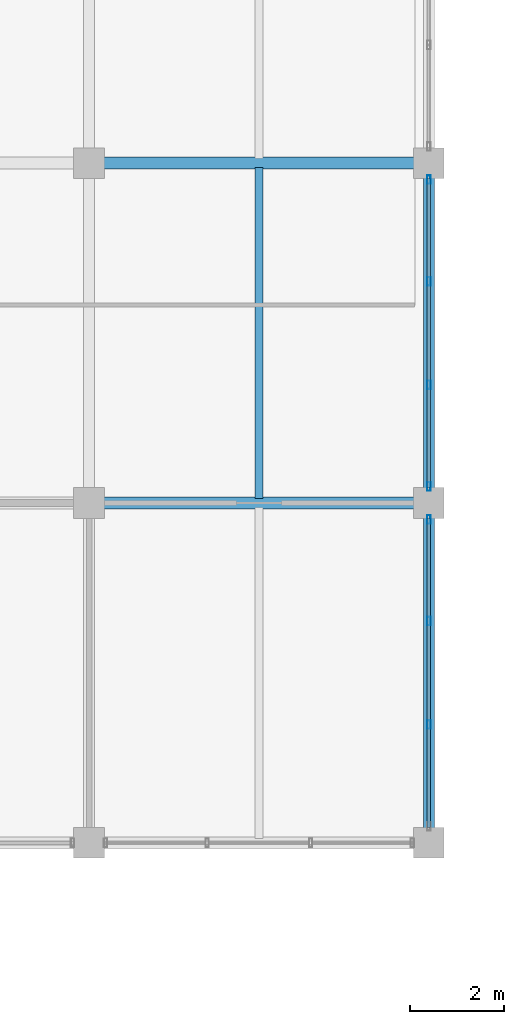
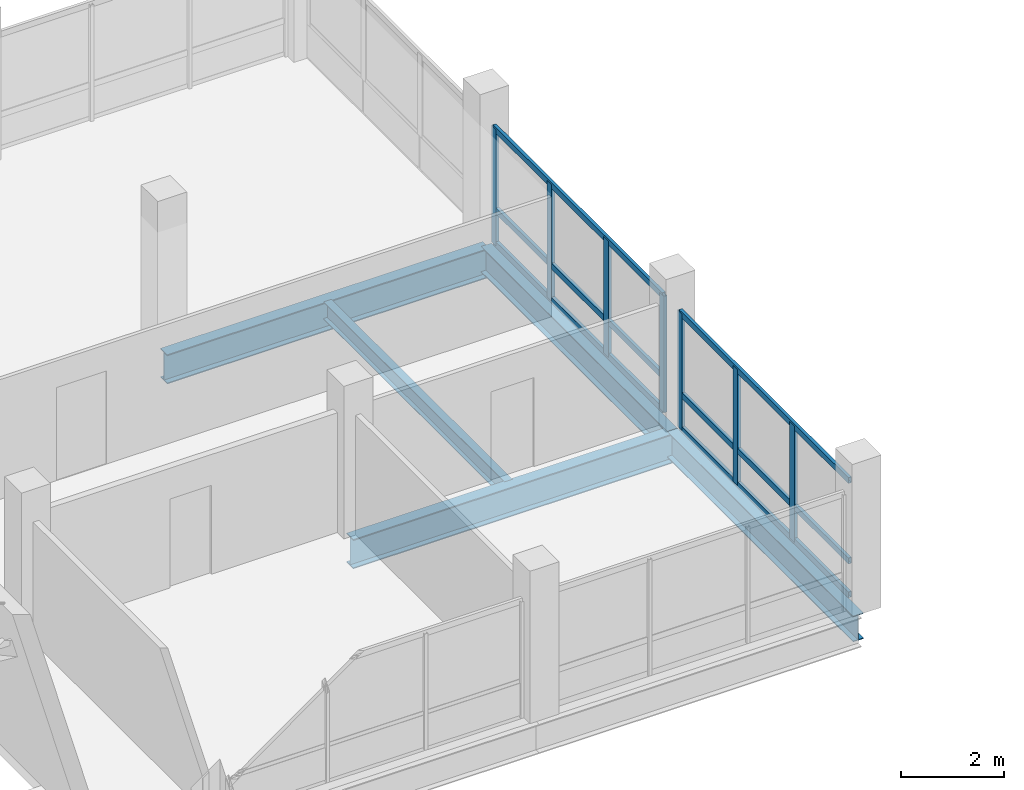
# One storey, part 45 of 96: 13 members, 5 beams, 2 elements without a shape of their own.
"""IFC4 building model written with IfcOpenShell, lengths in metres."""

import ifcopenshell
import ifcopenshell.guid

model = None  # the IFC model being written
_history = None  # IfcOwnerHistory: only IFC2X3 demands one
_inside = {}  # id of a spatial element -> (the spatial element, [elements in it])
_under = {}  # id of a project, library or spatial element -> (it, [spatial elements below it])
_declared = {}  # id of a project -> (the project, [libraries it declares])
_typed = {}  # id of a type object -> (the type object, [elements of that type])
_made_of = {}  # id of a material, layer set ... -> (it, [elements and type objects made of it])


def new_model(schema):
    """Start an empty IFC model of exactly this schema.

    Asked for "IFC4X3", IfcOpenShell would pick the latest addendum, in which some entities
    have other attributes; the version numbers below select the first issue.
    IFC2X3 requires an IfcOwnerHistory on every rooted entity: one is made here for all.
    """
    global model, _history
    if schema == "IFC4X3":
        model = ifcopenshell.file(schema_version=(4, 3, 0, 0))
    else:
        model = ifcopenshell.file(schema=schema)
    _inside.clear()
    _under.clear()
    _declared.clear()
    _typed.clear()
    _made_of.clear()
    _history = None
    if model.schema == "IFC2X3":
        org = make("IfcOrganization", Name="unknown")
        user = make(
            "IfcPersonAndOrganization",
            ThePerson=make("IfcPerson", FamilyName="unknown"),
            TheOrganization=org,
        )
        app = make(
            "IfcApplication",
            ApplicationDeveloper=org,
            Version="unknown",
            ApplicationFullName="unknown",
            ApplicationIdentifier="unknown",
        )
        _history = make(
            "IfcOwnerHistory",
            OwningUser=user,
            OwningApplication=app,
            ChangeAction="ADDED",
            CreationDate=0,
        )
    return model


def make(cls, **values):
    """One entity of the class cls with the attributes given. An attribute that is None is left unset."""
    return model.create_entity(
        cls, **{name: value for name, value in values.items() if value is not None}
    )


def rooted(cls, **values):
    """An entity with a GlobalId (a new one), such as an element, a storey or a relation."""
    return make(cls, GlobalId=ifcopenshell.guid.new(), OwnerHistory=_history, **values)


def si_unit(unit_type, name, prefix=None):
    """IfcSIUnit, for example si_unit("LENGTHUNIT", "METRE", prefix="MILLI")."""
    return make("IfcSIUnit", UnitType=unit_type, Prefix=prefix, Name=name)


def assignment(units):
    """IfcUnitAssignment: the units of a project."""
    return None if units is None else make("IfcUnitAssignment", Units=units)


def point(xyz):
    """IfcCartesianPoint."""
    return None if xyz is None else make("IfcCartesianPoint", Coordinates=xyz)


def direction(xyz):
    """IfcDirection."""
    return None if xyz is None else make("IfcDirection", DirectionRatios=xyz)


def frame(location, z_axis=None, x_axis=None):
    """IfcAxis2Placement3D, a coordinate frame: its origin and axes. An axis left out is left unset."""
    return make(
        "IfcAxis2Placement3D",
        Location=point(location),
        Axis=direction(z_axis),
        RefDirection=direction(x_axis),
    )


def frame_2d(location, x_axis=None):
    """IfcAxis2Placement2D, a coordinate frame in the plane: its origin and x axis."""
    return make(
        "IfcAxis2Placement2D", Location=point(location), RefDirection=direction(x_axis)
    )


def origin():
    """The frame at (0, 0, 0) with its axes left unset."""
    return frame((0.0, 0.0, 0.0))


def origin_2d():
    """The frame at (0, 0) in the plane with its x axis left unset."""
    return frame_2d((0.0, 0.0))


def place(relative_to, where):
    """IfcLocalPlacement: puts the frame where relative to a parent placement (None: the world)."""
    return make(
        "IfcLocalPlacement", PlacementRelTo=relative_to, RelativePlacement=where
    )


def context(
    kind, dimensions, precision=None, world=None, true_north=None, identifier=None
):
    """IfcGeometricRepresentationContext, for example the 3D "Model" context."""
    return make(
        "IfcGeometricRepresentationContext",
        ContextIdentifier=identifier,
        ContextType=kind,
        CoordinateSpaceDimension=dimensions,
        Precision=precision,
        WorldCoordinateSystem=world,
        TrueNorth=true_north,
    )


def subcontext(parent, identifier, kind, view, scale=None):
    """IfcGeometricRepresentationSubContext, for example "Body" below "Model"."""
    return make(
        "IfcGeometricRepresentationSubContext",
        ContextIdentifier=identifier,
        ContextType=kind,
        ParentContext=parent,
        TargetScale=scale,
        TargetView=view,
    )


def project(units=None, contexts=None):
    """IfcProject with its units and contexts."""
    return rooted(
        "IfcProject",
        Name="project",
        RepresentationContexts=contexts,
        UnitsInContext=assignment(units),
    )


def spatial(cls, under=None, at=None, **own):
    """A site, building, storey or space (cls), placed at a placement, below another one or the project."""
    s = rooted(cls, ObjectPlacement=at, **own)
    if under is not None:
        _under.setdefault(under.id(), (under, []))[1].append(s)
    return s


def profile(cls, at=None, kind="AREA", **sizes):
    """A parametric profile (cls). Its sizes go by their IFC names, for example OverallWidth=200.0."""
    return make(cls, ProfileType=kind, Position=at, **sizes)


def hollow_rectangle(**sizes):
    """IfcRectangleHollowProfileDef."""
    return profile("IfcRectangleHollowProfileDef", **sizes)


def i_section(**sizes):
    """IfcIShapeProfileDef."""
    return profile("IfcIShapeProfileDef", **sizes)


def extrude(swept, where, along, depth):
    """IfcExtrudedAreaSolid: the profile swept, set in the frame where, extruded along a direction by depth."""
    return make(
        "IfcExtrudedAreaSolid",
        SweptArea=swept,
        Position=where,
        ExtrudedDirection=direction(along),
        Depth=depth,
    )


def shape(context_of_items, identifier, shape_type, items):
    """IfcShapeRepresentation: the items that make up one representation, for example the "Body"."""
    return make(
        "IfcShapeRepresentation",
        ContextOfItems=context_of_items,
        RepresentationIdentifier=identifier,
        RepresentationType=shape_type,
        Items=items,
    )


def material(Name=None, Category=None):
    """IfcMaterial."""
    return make("IfcMaterial", Name=Name, Category=Category)


def material_profile(
    of_material, cross_section, Name=None, Category=None, Priority=None
):
    """IfcMaterialProfile: a cross section and its material."""
    return make(
        "IfcMaterialProfile",
        Name=Name,
        Material=of_material,
        Profile=cross_section,
        Priority=Priority,
        Category=Category,
    )


def profile_set(profiles, Name=None, composite=None):
    """IfcMaterialProfileSet."""
    return make(
        "IfcMaterialProfileSet",
        Name=Name,
        MaterialProfiles=profiles,
        CompositeProfile=composite,
    )


def made_of(thing, what):
    """Note that an element or type object is made of a material, layer set ...; save() writes the relation."""
    if what is not None:
        _made_of.setdefault(what.id(), (what, []))[1].append(thing)
    return thing


def type_object(cls, material=None, **own):
    """A type object (cls), such as IfcWallType, which elements share."""
    return made_of(rooted(cls, **own), material)


def element(
    cls,
    number,
    at=None,
    inside=None,
    cuts=None,
    type_object=None,
    material=None,
    context=None,
    identifier="Body",
    shape_type=None,
    held_by="IfcProductDefinitionShape",
    body=None,
    shapes=None,
    **own,
):
    """One element of the class cls, such as IfcWall. Its Tag is "e" and its number.

    at: its placement. inside: the storey or other place that contains it. cuts: it is an
    opening in that element (IfcRelVoidsElement). A single representation is given by context,
    identifier, shape_type and body (its items); several are given by shapes. held_by: the class
    of the entity that holds the representations. save() writes the other relations.
    """
    e = rooted(cls, Tag="e%d" % number, ObjectPlacement=at, **own)
    if body is not None:
        shapes = [shape(context, identifier, shape_type, body)]
    if shapes is not None:
        e.Representation = make(held_by, Representations=shapes)
    if inside is not None:
        _inside.setdefault(inside.id(), (inside, []))[1].append(e)
    if cuts is not None:
        rooted(
            "IfcRelVoidsElement", RelatingBuildingElement=cuts, RelatedOpeningElement=e
        )
    if type_object is not None:
        _typed.setdefault(type_object.id(), (type_object, []))[1].append(e)
    return made_of(e, material)


def aggregate(whole, parts):
    """IfcRelAggregates: a whole, such as a stair, and the parts it consists of."""
    return rooted("IfcRelAggregates", RelatingObject=whole, RelatedObjects=parts)


def save(model, path):
    """Write the relations noted so far, then the file.

    IfcRelAggregates (storeys below a building ...), IfcRelContainedInSpatialStructure (elements
    in a storey), IfcRelDefinesByType, IfcRelAssociatesMaterial and IfcRelDeclares: one each for
    every whole, place, type object, material and project.
    """
    for whole, parts in _under.values():
        aggregate(whole, parts)
    for where, things in _inside.values():
        rooted(
            "IfcRelContainedInSpatialStructure",
            RelatedElements=things,
            RelatingStructure=where,
        )
    for kind, things in _typed.values():
        rooted("IfcRelDefinesByType", RelatedObjects=things, RelatingType=kind)
    for what, things in _made_of.values():
        rooted("IfcRelAssociatesMaterial", RelatedObjects=things, RelatingMaterial=what)
    for by, libraries in _declared.values():
        rooted("IfcRelDeclares", RelatingContext=by, RelatedDefinitions=libraries)
    model.write(path)


model = new_model("IFC4")

# Units and contexts
model_context = context("Model", 3, precision=1e-05, world=origin(), true_north=direction((0.0, 1.0)))
body_context = subcontext(model_context, "Body", "Model", "MODEL_VIEW")
ifc_project = project(units=[si_unit("LENGTHUNIT", "METRE"), si_unit("AREAUNIT", "SQUARE_METRE"), si_unit("VOLUMEUNIT", "CUBIC_METRE"), si_unit("PLANEANGLEUNIT", "RADIAN"), si_unit("MASSUNIT", "GRAM", prefix="KILO")], contexts=[model_context])

# Site, building, storey
site_placement = place(None, origin())
site = spatial("IfcSite", under=ifc_project, at=site_placement, CompositionType="ELEMENT")
building_placement = place(site_placement, origin())
building = spatial("IfcBuilding", under=site, at=building_placement, Name="Yarey Park Central Fire Station", CompositionType="ELEMENT")
storey_placement = place(building_placement, frame((0.0, 0.0, 14.39990234375)))
storey = spatial("IfcBuildingStorey", under=building, at=storey_placement, Name="L04", CompositionType="ELEMENT", Elevation=14.39990234375)

# Curtain wall, members
ifc_material_1 = material(Name="Anodized Aluminium Frame", Category="aluminium")
curtain_wall_type = type_object("IfcCurtainWallType", Name="ENV_CW_HQ_L04", PredefinedType="NOTDEFINED", material=ifc_material_1)
curtain_wall_1_placement = place(storey_placement, origin())
curtain_wall_1 = element("IfcCurtainWall", 1, at=curtain_wall_1_placement, inside=storey, type_object=curtain_wall_type, Name="CW_L04_V4_E_93", PredefinedType="NOTDEFINED")
ifc_material_profile_1 = material_profile(ifc_material_1, hollow_rectangle(XDim=0.070068359375, YDim=0.179931640625, WallThickness=0.00390625, at=origin_2d()), Name="ALU 180x70x4")
ifc_profile_set_1 = profile_set([ifc_material_profile_1], Name="Anodized Aluminium Frame")
member_type_1 = type_object("IfcMemberType", Name="ENV_CW_MULLION", PredefinedType="MULLION", material=ifc_profile_set_1)
member_1_placement = place(storey_placement, frame((158.39990234375, 96.103271484375, 0.0), z_axis=(0.0, 0.0, 1.0), x_axis=(1.0, 0.0, 0.0)))
member_1 = element("IfcMember", 2, at=member_1_placement, type_object=member_type_1, Name="CW_L04_V4_E_93_MUL2", PredefinedType="MULLION", context=body_context, shape_type="SweptSolid", body=[
    extrude(hollow_rectangle(XDim=0.070068359375, YDim=0.179931640625, WallThickness=0.00390625, at=origin_2d()), origin(), (0.0, 0.0, 1.0), 2.75),
])
member_2_placement = place(storey_placement, frame((158.39990234375, 98.296630859375, 0.0), z_axis=(0.0, 0.0, 1.0), x_axis=(1.0, 0.0, 0.0)))
member_2 = element("IfcMember", 3, at=member_2_placement, type_object=member_type_1, Name="CW_L04_V4_E_93_MUL3", PredefinedType="MULLION", context=body_context, shape_type="SweptSolid", body=[
    extrude(hollow_rectangle(XDim=0.070068359375, YDim=0.179931640625, WallThickness=0.00390625, at=origin_2d()), origin(), (0.0, 0.0, 1.0), 2.75),
])
member_3_placement = place(storey_placement, frame((158.39990234375, 100.449951171875, 0.0), z_axis=(0.0, 0.0, 1.0), x_axis=(1.0, 0.0, 0.0)))
member_3 = element("IfcMember", 4, at=member_3_placement, type_object=member_type_1, Name="CW_L04_V4_E_93_MUL4", PredefinedType="MULLION", context=body_context, shape_type="SweptSolid", body=[
    extrude(hollow_rectangle(XDim=0.070068359375, YDim=0.179931640625, WallThickness=0.00390625, at=origin_2d()), origin(), (0.0, 0.0, 1.0), 2.75),
])

curtain_wall_2_placement = place(storey_placement, origin())
curtain_wall_2 = element("IfcCurtainWall", 5, at=curtain_wall_2_placement, inside=storey, type_object=curtain_wall_type, Name="CW_L04_V4_E_100", PredefinedType="NOTDEFINED")
member_4_placement = place(storey_placement, frame((158.39990234375, 101.14990234375, 0.0), z_axis=(0.0, 0.0, 1.0), x_axis=(1.0, 0.0, 0.0)))
member_4 = element("IfcMember", 6, at=member_4_placement, type_object=member_type_1, Name="CW_L04_V4_E_100_MUL1", PredefinedType="MULLION", context=body_context, shape_type="SweptSolid", body=[
    extrude(hollow_rectangle(XDim=0.070068359375, YDim=0.179931640625, WallThickness=0.00390625, at=origin_2d()), origin(), (0.0, 0.0, 1.0), 2.75),
])
member_5_placement = place(storey_placement, frame((158.39990234375, 103.30322265625, 0.0), z_axis=(0.0, 0.0, 1.0), x_axis=(1.0, 0.0, 0.0)))
member_5 = element("IfcMember", 7, at=member_5_placement, type_object=member_type_1, Name="CW_L04_V4_E_100_MUL2", PredefinedType="MULLION", context=body_context, shape_type="SweptSolid", body=[
    extrude(hollow_rectangle(XDim=0.070068359375, YDim=0.179931640625, WallThickness=0.00390625, at=origin_2d()), origin(), (0.0, 0.0, 1.0), 2.75),
])
member_6_placement = place(storey_placement, frame((158.39990234375, 105.49658203125, 0.0), z_axis=(0.0, 0.0, 1.0), x_axis=(1.0, 0.0, 0.0)))
member_6 = element("IfcMember", 8, at=member_6_placement, type_object=member_type_1, Name="CW_L04_V4_E_100_MUL3", PredefinedType="MULLION", context=body_context, shape_type="SweptSolid", body=[
    extrude(hollow_rectangle(XDim=0.070068359375, YDim=0.179931640625, WallThickness=0.00390625, at=origin_2d()), origin(), (0.0, 0.0, 1.0), 2.75),
])
member_7_placement = place(storey_placement, frame((158.39990234375, 107.64990234375, 0.0), z_axis=(0.0, 0.0, 1.0), x_axis=(1.0, 0.0, 0.0)))
member_7 = element("IfcMember", 9, at=member_7_placement, type_object=member_type_1, Name="CW_L04_V4_E_100_MUL4", PredefinedType="MULLION", context=body_context, shape_type="SweptSolid", body=[
    extrude(hollow_rectangle(XDim=0.070068359375, YDim=0.179931640625, WallThickness=0.00390625, at=origin_2d()), origin(), (0.0, 0.0, 1.0), 2.75),
])

# Member
ifc_material_profile_2 = material_profile(ifc_material_1, hollow_rectangle(XDim=0.070068359375, YDim=0.139892578125, WallThickness=0.00390625, at=origin_2d()), Name="ALU 140x70x4")
ifc_profile_set_2 = profile_set([ifc_material_profile_2], Name="Anodized Aluminium Frame")
member_type_2 = type_object("IfcMemberType", Name="ENV_CW_TRANSOM", PredefinedType="USERDEFINED", material=ifc_profile_set_2)
member_8_placement = place(storey_placement, frame((158.39990234375, 93.925048828125, 0.025146484375), z_axis=(0.0, 1.0, 0.0), x_axis=(-1.0, 0.0, 0.0)))
member_8 = element("IfcMember", 10, at=member_8_placement, type_object=member_type_2, Name="CW_L04_V4_E_93_TRN1", ObjectType="TRANSOM", PredefinedType="USERDEFINED", context=body_context, shape_type="SweptSolid", body=[
    extrude(hollow_rectangle(XDim=0.070068359375, YDim=0.139892578125, WallThickness=0.00390625, at=origin_2d()), origin(), (0.0, 0.0, 1.0), 6.550048828125),
])

member_9_placement = place(storey_placement, frame((158.39990234375, 93.925048828125, 0.8251953125), z_axis=(0.0, 1.0, 0.0), x_axis=(-1.0, 0.0, 0.0)))
member_9 = element("IfcMember", 11, at=member_9_placement, type_object=member_type_2, Name="CW_L04_V4_E_93_TRN2", ObjectType="TRANSOM", PredefinedType="USERDEFINED", context=body_context, shape_type="SweptSolid", body=[
    extrude(hollow_rectangle(XDim=0.070068359375, YDim=0.139892578125, WallThickness=0.00390625, at=origin_2d()), origin(), (0.0, 0.0, 1.0), 6.550048828125),
])

member_10_placement = place(storey_placement, frame((158.39990234375, 93.925048828125, 2.72509765625), z_axis=(0.0, 1.0, 0.0), x_axis=(-1.0, 0.0, 0.0)))
member_10 = element("IfcMember", 12, at=member_10_placement, type_object=member_type_2, Name="CW_L04_V4_E_93_TRN3", ObjectType="TRANSOM", PredefinedType="USERDEFINED", context=body_context, shape_type="SweptSolid", body=[
    extrude(hollow_rectangle(XDim=0.070068359375, YDim=0.139892578125, WallThickness=0.00390625, at=origin_2d()), origin(), (0.0, 0.0, 1.0), 6.550048828125),
])

aggregate(curtain_wall_1, [member_1, member_2, member_3, member_8, member_9, member_10])

member_11_placement = place(storey_placement, frame((158.39990234375, 101.125, 0.025146484375), z_axis=(0.0, 1.0, 0.0), x_axis=(-1.0, 0.0, 0.0)))
member_11 = element("IfcMember", 13, at=member_11_placement, type_object=member_type_2, Name="CW_L04_V4_E_100_TRN1", ObjectType="TRANSOM", PredefinedType="USERDEFINED", context=body_context, shape_type="SweptSolid", body=[
    extrude(hollow_rectangle(XDim=0.070068359375, YDim=0.139892578125, WallThickness=0.00390625, at=origin_2d()), origin(), (0.0, 0.0, 1.0), 6.550048828125),
])

member_12_placement = place(storey_placement, frame((158.39990234375, 101.125, 0.8251953125), z_axis=(0.0, 1.0, 0.0), x_axis=(-1.0, 0.0, 0.0)))
member_12 = element("IfcMember", 14, at=member_12_placement, type_object=member_type_2, Name="CW_L04_V4_E_100_TRN2", ObjectType="TRANSOM", PredefinedType="USERDEFINED", context=body_context, shape_type="SweptSolid", body=[
    extrude(hollow_rectangle(XDim=0.070068359375, YDim=0.139892578125, WallThickness=0.00390625, at=origin_2d()), origin(), (0.0, 0.0, 1.0), 6.550048828125),
])

member_13_placement = place(storey_placement, frame((158.39990234375, 101.125, 2.72509765625), z_axis=(0.0, 1.0, 0.0), x_axis=(-1.0, 0.0, 0.0)))
member_13 = element("IfcMember", 15, at=member_13_placement, type_object=member_type_2, Name="CW_L04_V4_E_100_TRN3", ObjectType="TRANSOM", PredefinedType="USERDEFINED", context=body_context, shape_type="SweptSolid", body=[
    extrude(hollow_rectangle(XDim=0.070068359375, YDim=0.139892578125, WallThickness=0.00390625, at=origin_2d()), origin(), (0.0, 0.0, 1.0), 6.550048828125),
])

aggregate(curtain_wall_2, [member_4, member_5, member_6, member_7, member_11, member_12, member_13])

# Beams
ifc_material_2 = material(Name="Steel ASTM A992 Gr. 50", Category="steel")
ifc_material_profile_3 = material_profile(ifc_material_2, i_section(OverallWidth=0.22900390625, OverallDepth=0.612060546875, WebThickness=0.011962890625, FlangeThickness=0.01953125, at=origin_2d()), Name="W610x125")
ifc_profile_set_3 = profile_set([ifc_material_profile_3], Name="Steel ASTM A992 Gr. 50")
beam_type_1 = type_object("IfcBeamType", Name="STR_BM_W610", PredefinedType="BEAM", material=ifc_profile_set_3)
for number, where, z_axis, x_axis, name in (
    (16, (158.39990234375, 93.60009765625, -0.555908203125), (0.0, 1.0, 0.0), (-1.0, 0.0, 0.0), "BMY L04 X1584 Y936"),
    (17, (158.39990234375, 100.800048828125, -0.555908203125), (0.0, 1.0, 0.0), (-1.0, 0.0, 0.0), "BMY L04 X1584 Y1008"),
):
    element("IfcBeam", number, at=place(storey_placement, frame(where, z_axis=z_axis, x_axis=x_axis)), inside=storey, type_object=beam_type_1, Name=name, PredefinedType="BEAM", context=body_context, shape_type="SweptSolid", body=[
        extrude(i_section(OverallWidth=0.22900390625, OverallDepth=0.612060546875, WebThickness=0.011962890625, FlangeThickness=0.01953125, at=origin_2d()), origin(), (0.0, 0.0, 1.0), 7.199951171875),
    ])
ifc_material_profile_4 = material_profile(ifc_material_2, i_section(OverallWidth=0.256103515625, OverallDepth=0.693115234375, WebThickness=0.014404296875, FlangeThickness=0.023681640625, at=origin_2d()), Name="W690x170")
ifc_profile_set_4 = profile_set([ifc_material_profile_4], Name="Steel ASTM A992 Gr. 50")
beam_type_2 = type_object("IfcBeamType", Name="STR_BM_W690", PredefinedType="BEAM", material=ifc_profile_set_4)
for number, where, z_axis, x_axis, name in (
    (18, (151.199951171875, 100.800048828125, -0.596435546875), (1.0, 0.0, 0.0), (0.0, 1.0, 0.0), "BMX L04 Y1008 X1512"),
    (19, (151.199951171875, 108.0, -0.596435546875), (1.0, 0.0, 0.0), (0.0, 1.0, 0.0), "BMX L04 Y1080 X1512"),
):
    element("IfcBeam", number, at=place(storey_placement, frame(where, z_axis=z_axis, x_axis=x_axis)), inside=storey, type_object=beam_type_2, Name=name, PredefinedType="BEAM", context=body_context, shape_type="SweptSolid", body=[
        extrude(i_section(OverallWidth=0.256103515625, OverallDepth=0.693115234375, WebThickness=0.014404296875, FlangeThickness=0.023681640625, at=origin_2d()), origin(), (0.0, 0.0, 1.0), 7.199951171875),
    ])
ifc_material_profile_5 = material_profile(ifc_material_2, i_section(OverallWidth=0.177978515625, OverallDepth=0.406982421875, WebThickness=0.0078125, FlangeThickness=0.0126953125, at=origin_2d()), Name="W410x60")
ifc_profile_set_5 = profile_set([ifc_material_profile_5], Name="Steel ASTM A992 Gr. 50")
beam_type_3 = type_object("IfcBeamType", Name="STR_JST_W410", PredefinedType="JOIST", material=ifc_profile_set_5)
beam_placement = place(storey_placement, frame((154.800048828125, 100.89501953125, -0.453369140625), z_axis=(0.0, 1.0, 0.0), x_axis=(-1.0, 0.0, 0.0)))
element("IfcBeam", 20, at=beam_placement, inside=storey, type_object=beam_type_3, Name="JST L04 X1548 Y1008", PredefinedType="JOIST", context=body_context, shape_type="SweptSolid", body=[
    extrude(i_section(OverallWidth=0.177978515625, OverallDepth=0.406982421875, WebThickness=0.0078125, FlangeThickness=0.0126953125, at=origin_2d()), origin(), (0.0, 0.0, 1.0), 7.010009765625),
])

save(model, "model.ifc")
